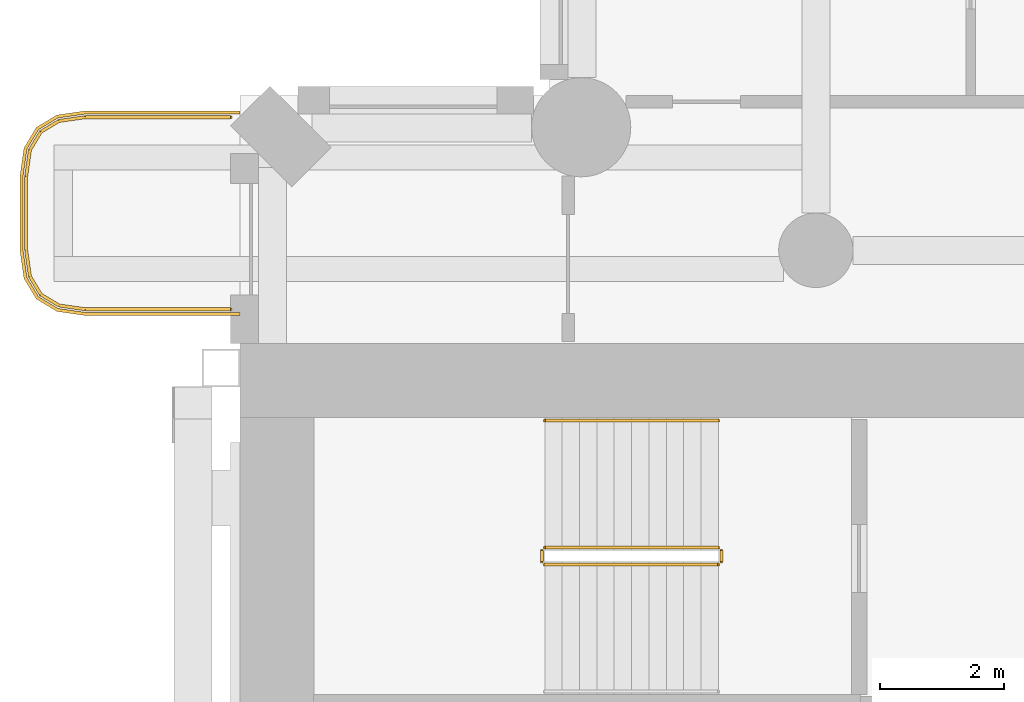
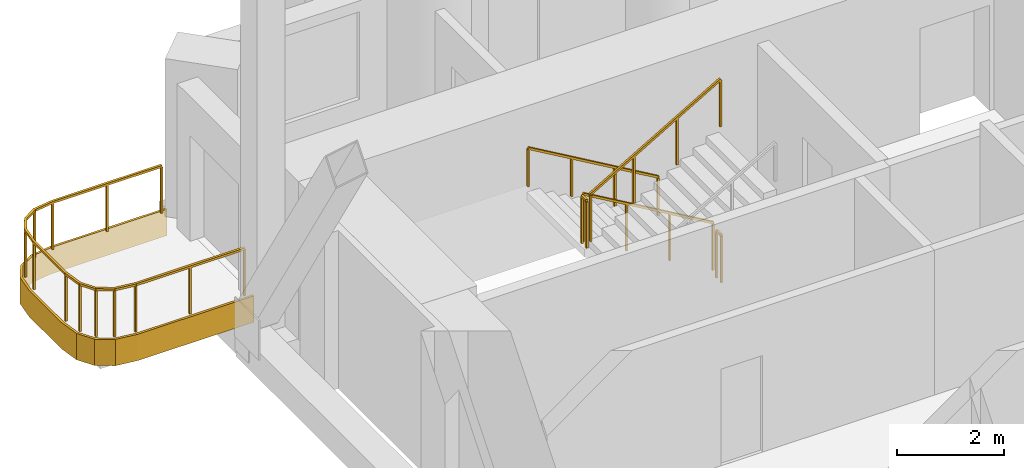
# One storey, part 21 of 24: 6 railings, 1 covering.
"""IFC4 building model written with IfcOpenShell, lengths in metres."""

from ifc_helpers import new_model, si_unit, direction, frame, origin, origin_2d, place, context, subcontext, project, spatial, polyline, rectangle, outline, extrude, material, layer, layer_set, type_object, element, save


model = new_model("IFC4")

# Units and contexts
model_context = context("Model", 3, precision=1e-05, world=origin(), true_north=direction((0.0, 1.0)))
body_context = subcontext(model_context, "Body", "Model", "MODEL_VIEW")
ifc_project = project(units=[si_unit("LENGTHUNIT", "METRE"), si_unit("AREAUNIT", "SQUARE_METRE"), si_unit("VOLUMEUNIT", "CUBIC_METRE"), si_unit("PLANEANGLEUNIT", "RADIAN"), si_unit("MASSUNIT", "GRAM", prefix="KILO")], contexts=[model_context])

# Site, building, storey
site_placement = place(None, origin())
site = spatial("IfcSite", under=ifc_project, at=site_placement, CompositionType="ELEMENT")
building_placement = place(site_placement, origin())
building = spatial("IfcBuilding", under=site, at=building_placement, Name="Cypress Arch Tower", CompositionType="ELEMENT")
storey_placement = place(building_placement, frame((0.0, 0.0, 102.300048828125)))
storey = spatial("IfcBuildingStorey", under=building, at=storey_placement, Name="L20", CompositionType="ELEMENT", Elevation=102.300048828125)

# Covering
ifc_material_1 = material(Name="White powder-coated aluminium fascia", Category="aluminium")
ifc_layer = layer(ifc_material_1, 0.050048828125)
ifc_layer_set = layer_set([ifc_layer], Name="Balcony fascia BF50")
covering_type = type_object("IfcCoveringType", Name="Balcony fascia BF50", PredefinedType="CLADDING", material=ifc_layer_set)
covering_placement = place(storey_placement, frame((0.0, 0.0, -0.60009765625)))
element("IfcCovering", 1, at=covering_placement, inside=storey, type_object=covering_type, Name="Balcony fascia L20-A00W0", PredefinedType="CLADDING", context=body_context, shape_type="SweptSolid", body=[
    extrude(outline(polyline([(-32.503662109375, 16.449951171875), (-32.95458984375, 16.514404296875), (-33.286376953125, 16.713623046875), (-33.485595703125, 17.04541015625), (-33.550048828125, 17.496337890625), (-33.550048828125, 18.70361328125), (-33.485595703125, 19.154541015625), (-33.286376953125, 19.486328125), (-32.95458984375, 19.685546875), (-32.503662109375, 19.75), (-30.0009765625, 19.75), (-30.0009765625, 19.699951171875), (-32.5, 19.699951171875), (-32.9375, 19.637451171875), (-33.25, 19.449951171875), (-33.4375, 19.137451171875), (-33.5, 18.699951171875), (-33.5, 17.5), (-33.4375, 17.0625), (-33.25, 16.75), (-32.9375, 16.5625), (-32.5, 16.5), (-30.0009765625, 16.5), (-30.0009765625, 16.449951171875), (-32.503662109375, 16.449951171875)])), origin(), (0.0, 0.0, 1.0), 0.60009765625),
])

# Railings
ifc_material_2 = material(Name="Powder-coated steel posts and rods, 100 mm clear between rods", Category="steel")
railing_type_1 = type_object("IfcRailingType", Name="Balcony guard GR1100", PredefinedType="GUARDRAIL", material=ifc_material_2)
railing_1_placement = place(storey_placement, frame((-30.14990234375, 16.550048828125, 0.0)))
element("IfcRailing", 2, at=railing_1_placement, inside=storey, type_object=railing_type_1, Name="Balcony guard L20-A00W0", PredefinedType="GUARDRAIL", context=body_context, shape_type="SweptSolid", body=[
    extrude(rectangle(XDim=0.050048828125, YDim=0.050048828125, at=origin_2d()), frame((0.0, 0.0, 1.0751953125), z_axis=(-1.0, 0.0, 0.0), x_axis=(0.0, -1.0, 0.0)), (0.0, 0.0, 1.0), 2.346435546875),
    extrude(rectangle(XDim=0.050048828125, YDim=0.050048828125, at=origin_2d()), frame((-2.346435546875, 0.0, 1.0751953125), z_axis=(-0.989960888959, 0.141341566184, 0.0), x_axis=(-0.141341566184, -0.989960888959, 0.0)), (0.0, 0.0, 1.0), 0.428466796875),
    extrude(rectangle(XDim=0.050048828125, YDim=0.050048828125, at=origin_2d()), frame((-2.7705078125, 0.060546875, 1.0751953125), z_axis=(-0.857681904839, 0.514180659021, 0.0), x_axis=(-0.514180659021, -0.857681904839, 0.0)), (0.0, 0.0, 1.0), 0.341796875),
    extrude(rectangle(XDim=0.050048828125, YDim=0.050048828125, at=origin_2d()), frame((-3.063720703125, 0.236328125, 1.0751953125), z_axis=(-0.514180659021, 0.857681904839, 0.0), x_axis=(-0.857681904839, -0.514180659021, 0.0)), (0.0, 0.0, 1.0), 0.341796875),
    extrude(rectangle(XDim=0.050048828125, YDim=0.050048828125, at=origin_2d()), frame((-3.239501953125, 0.529541015625, 1.0751953125), z_axis=(-0.141341566184, 0.989960888959, 0.0), x_axis=(-0.989960888959, -0.141341566184, 0.0)), (0.0, 0.0, 1.0), 0.428466796875),
    extrude(rectangle(XDim=0.050048828125, YDim=0.050048828125, at=origin_2d()), frame((-3.300048828125, 0.95361328125, 1.0751953125), z_axis=(0.0, 1.0, 0.0), x_axis=(-1.0, 0.0, 0.0)), (0.0, 0.0, 1.0), 1.19287109375),
    extrude(rectangle(XDim=0.050048828125, YDim=0.050048828125, at=origin_2d()), frame((-3.300048828125, 2.146484375, 1.0751953125), z_axis=(0.141421356237, 0.989949493661, 0.0), x_axis=(-0.989949493661, 0.141421356237, 0.0)), (0.0, 0.0, 1.0), 0.42822265625),
    extrude(rectangle(XDim=0.050048828125, YDim=0.050048828125, at=origin_2d()), frame((-3.239501953125, 2.5703125, 1.0751953125), z_axis=(0.514180659021, 0.857681904839, 0.0), x_axis=(-0.857681904839, 0.514180659021, 0.0)), (0.0, 0.0, 1.0), 0.341796875),
    extrude(rectangle(XDim=0.050048828125, YDim=0.050048828125, at=origin_2d()), frame((-3.063720703125, 2.863525390625, 1.0751953125), z_axis=(0.857681904839, 0.514180659021, 0.0), x_axis=(-0.514180659021, 0.857681904839, 0.0)), (0.0, 0.0, 1.0), 0.341796875),
    extrude(rectangle(XDim=0.050048828125, YDim=0.050048828125, at=origin_2d()), frame((-2.7705078125, 3.039306640625, 1.0751953125), z_axis=(0.989960888959, 0.141341566184, 0.0), x_axis=(-0.141341566184, 0.989960888959, 0.0)), (0.0, 0.0, 1.0), 0.428466796875),
    extrude(rectangle(XDim=0.050048828125, YDim=0.050048828125, at=origin_2d()), frame((-2.346435546875, 3.099853515625, 1.0751953125), z_axis=(1.0, 0.0, 0.0), x_axis=(0.0, 1.0, 0.0)), (0.0, 0.0, 1.0), 2.346435546875),
    extrude(rectangle(XDim=0.0400390625, YDim=0.0400390625, at=origin_2d()), origin(), (0.0, 0.0, 1.0), 1.050048828125),
    extrude(rectangle(XDim=0.0400390625, YDim=0.0400390625, at=origin_2d()), frame((-1.17333984375, 0.0, 0.0)), (0.0, 0.0, 1.0), 1.050048828125),
    extrude(rectangle(XDim=0.0400390625, YDim=0.0400390625, at=origin_2d()), frame((-2.346435546875, 0.0, 0.0)), (0.0, 0.0, 1.0), 1.050048828125),
    extrude(rectangle(XDim=0.0400390625, YDim=0.0400390625, at=origin_2d()), frame((-2.7705078125, 0.060546875, 0.0)), (0.0, 0.0, 1.0), 1.050048828125),
    extrude(rectangle(XDim=0.0400390625, YDim=0.0400390625, at=origin_2d()), frame((-3.063720703125, 0.236328125, 0.0)), (0.0, 0.0, 1.0), 1.050048828125),
    extrude(rectangle(XDim=0.0400390625, YDim=0.0400390625, at=origin_2d()), frame((-3.239501953125, 0.529541015625, 0.0)), (0.0, 0.0, 1.0), 1.050048828125),
    extrude(rectangle(XDim=0.0400390625, YDim=0.0400390625, at=origin_2d()), frame((-3.300048828125, 0.95361328125, 0.0)), (0.0, 0.0, 1.0), 1.050048828125),
    extrude(rectangle(XDim=0.0400390625, YDim=0.0400390625, at=origin_2d()), frame((-3.300048828125, 2.146484375, 0.0)), (0.0, 0.0, 1.0), 1.050048828125),
    extrude(rectangle(XDim=0.0400390625, YDim=0.0400390625, at=origin_2d()), frame((-3.239501953125, 2.5703125, 0.0)), (0.0, 0.0, 1.0), 1.050048828125),
    extrude(rectangle(XDim=0.0400390625, YDim=0.0400390625, at=origin_2d()), frame((-3.063720703125, 2.863525390625, 0.0)), (0.0, 0.0, 1.0), 1.050048828125),
    extrude(rectangle(XDim=0.0400390625, YDim=0.0400390625, at=origin_2d()), frame((-2.7705078125, 3.039306640625, 0.0)), (0.0, 0.0, 1.0), 1.050048828125),
    extrude(rectangle(XDim=0.0400390625, YDim=0.0400390625, at=origin_2d()), frame((-2.346435546875, 3.099853515625, 0.0)), (0.0, 0.0, 1.0), 1.050048828125),
    extrude(rectangle(XDim=0.0400390625, YDim=0.0400390625, at=origin_2d()), frame((-1.17333984375, 3.099853515625, 0.0)), (0.0, 0.0, 1.0), 1.050048828125),
    extrude(rectangle(XDim=0.0400390625, YDim=0.0400390625, at=origin_2d()), frame((0.0, 3.099853515625, 0.0)), (0.0, 0.0, 1.0), 1.050048828125),
])
ifc_material_3 = material(Name="Black powder-coated steel square bar 48 mm", Category="steel")
railing_type_2 = type_object("IfcRailingType", Name="Stair handrail HR1", PredefinedType="HANDRAIL", material=ifc_material_3)
railing_2_placement = place(storey_placement, frame((-22.27490234375, 14.75, 0.16357421875)))
element("IfcRailing", 3, at=railing_2_placement, inside=storey, type_object=railing_type_2, Name="L20 B stair handrail 1", PredefinedType="HANDRAIL", context=body_context, shape_type="SweptSolid", body=[
    extrude(rectangle(XDim=0.048095703125, YDim=0.048095703125, at=origin_2d()), frame((0.0, 0.0, 0.8759765625), z_axis=(-0.863360870873, 0.0, 0.504586966384), x_axis=(0.0, -1.0, 0.0)), (0.0, 0.0, 1.0), 3.2431640625),
    extrude(rectangle(XDim=0.0419921875, YDim=0.0419921875, at=origin_2d()), origin(), (0.0, 0.0, 1.0), 0.851806640625),
    extrude(rectangle(XDim=0.0419921875, YDim=0.0419921875, at=origin_2d()), frame((-0.933349609375, 0.0, 0.54541015625)), (0.0, 0.0, 1.0), 0.851806640625),
    extrude(rectangle(XDim=0.0419921875, YDim=0.0419921875, at=origin_2d()), frame((-1.86669921875, 0.0, 1.091064453125)), (0.0, 0.0, 1.0), 0.851806640625),
    extrude(rectangle(XDim=0.0419921875, YDim=0.0419921875, at=origin_2d()), frame((-2.800048828125, 0.0, 1.636474609375)), (0.0, 0.0, 1.0), 0.851806640625),
])
ifc_material_4 = material(Name="Black powder-coated steel balusters", Category="steel")
railing_type_3 = type_object("IfcRailingType", Name="Stair well guard G1", PredefinedType="GUARDRAIL", material=ifc_material_4)
railing_3_placement = place(storey_placement, frame((-22.27490234375, 12.699951171875, 0.16357421875)))
element("IfcRailing", 4, at=railing_3_placement, inside=storey, type_object=railing_type_3, Name="L20 B stair guard 1", PredefinedType="GUARDRAIL", context=body_context, shape_type="SweptSolid", body=[
    extrude(rectangle(XDim=0.048095703125, YDim=0.048095703125, at=origin_2d()), frame((0.0, 0.0, 1.076171875), z_axis=(-0.863360870873, 0.0, 0.504586966384), x_axis=(0.0, -1.0, 0.0)), (0.0, 0.0, 1.0), 3.2431640625),
    extrude(rectangle(XDim=0.0419921875, YDim=0.0419921875, at=origin_2d()), origin(), (0.0, 0.0, 1.0), 1.052001953125),
    extrude(rectangle(XDim=0.0419921875, YDim=0.0419921875, at=origin_2d()), frame((-0.933349609375, 0.0, 0.54541015625)), (0.0, 0.0, 1.0), 1.052001953125),
    extrude(rectangle(XDim=0.0419921875, YDim=0.0419921875, at=origin_2d()), frame((-1.86669921875, 0.0, 1.091064453125)), (0.0, 0.0, 1.0), 1.052001953125),
    extrude(rectangle(XDim=0.0419921875, YDim=0.0419921875, at=origin_2d()), frame((-2.800048828125, 0.0, 1.636474609375)), (0.0, 0.0, 1.0), 1.052001953125),
])
railing_4_placement = place(storey_placement, frame((-25.125, 12.64990234375, 1.800048828125)))
element("IfcRailing", 5, at=railing_4_placement, inside=storey, type_object=railing_type_3, Name="L20 B stair guard 2", PredefinedType="GUARDRAIL", context=body_context, shape_type="SweptSolid", body=[
    extrude(rectangle(XDim=0.048095703125, YDim=0.048095703125, at=origin_2d()), frame((0.0, 0.0, 1.076171875), z_axis=(0.0, -1.0, 0.0), x_axis=(1.0, 0.0, 0.0)), (0.0, 0.0, 1.0), 0.1748046875),
    extrude(rectangle(XDim=0.0419921875, YDim=0.0419921875, at=origin_2d()), origin(), (0.0, 0.0, 1.0), 1.052001953125),
    extrude(rectangle(XDim=0.0419921875, YDim=0.0419921875, at=origin_2d()), frame((0.0, -0.1748046875, 0.0)), (0.0, 0.0, 1.0), 1.052001953125),
])
railing_5_placement = place(storey_placement, frame((-25.074951171875, 12.425048828125, 1.963623046875)))
element("IfcRailing", 6, at=railing_5_placement, inside=storey, type_object=railing_type_3, Name="L20 B stair guard 3", PredefinedType="GUARDRAIL", context=body_context, shape_type="SweptSolid", body=[
    extrude(rectangle(XDim=0.048095703125, YDim=0.048095703125, at=origin_2d()), frame((0.0, 0.0, 1.076171875), z_axis=(0.863393664356, 0.0, 0.504530851732), x_axis=(0.0, 1.0, 0.0)), (0.0, 0.0, 1.0), 3.2431640625),
    extrude(rectangle(XDim=0.0419921875, YDim=0.0419921875, at=origin_2d()), origin(), (0.0, 0.0, 1.0), 1.052001953125),
    extrude(rectangle(XDim=0.0419921875, YDim=0.0419921875, at=origin_2d()), frame((0.933349609375, 0.0, 0.54541015625)), (0.0, 0.0, 1.0), 1.052001953125),
    extrude(rectangle(XDim=0.0419921875, YDim=0.0419921875, at=origin_2d()), frame((1.86669921875, 0.0, 1.0908203125)), (0.0, 0.0, 1.0), 1.052001953125),
    extrude(rectangle(XDim=0.0419921875, YDim=0.0419921875, at=origin_2d()), frame((2.800048828125, 0.0, 1.63623046875)), (0.0, 0.0, 1.0), 1.052001953125),
])
railing_6_placement = place(storey_placement, frame((-22.22509765625, 12.64990234375, 0.0)))
element("IfcRailing", 7, at=railing_6_placement, inside=storey, type_object=railing_type_3, Name="L20 B stair guard 4", PredefinedType="GUARDRAIL", context=body_context, shape_type="SweptSolid", body=[
    extrude(rectangle(XDim=0.048095703125, YDim=0.048095703125, at=origin_2d()), frame((0.0, 0.0, 1.076171875), z_axis=(0.0, -1.0, 0.0), x_axis=(1.0, 0.0, 0.0)), (0.0, 0.0, 1.0), 0.1748046875),
    extrude(rectangle(XDim=0.0419921875, YDim=0.0419921875, at=origin_2d()), origin(), (0.0, 0.0, 1.0), 1.052001953125),
    extrude(rectangle(XDim=0.0419921875, YDim=0.0419921875, at=origin_2d()), frame((0.0, -0.1748046875, 0.0)), (0.0, 0.0, 1.0), 1.052001953125),
])

save(model, "model.ifc")
